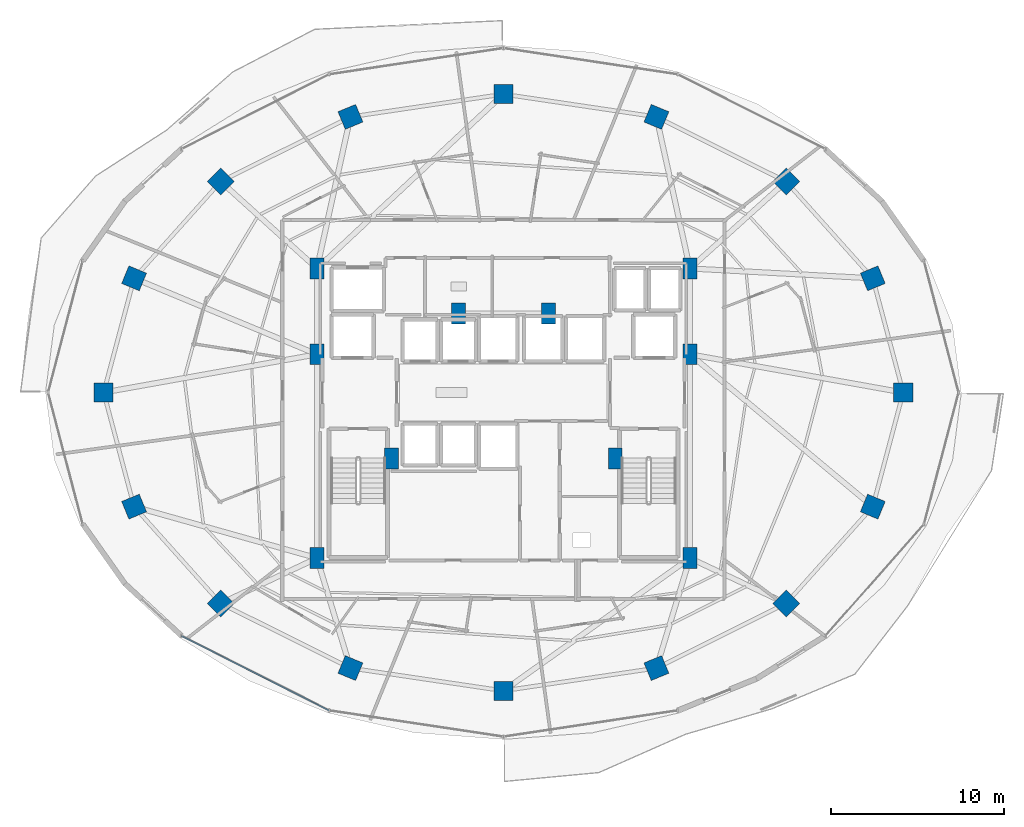
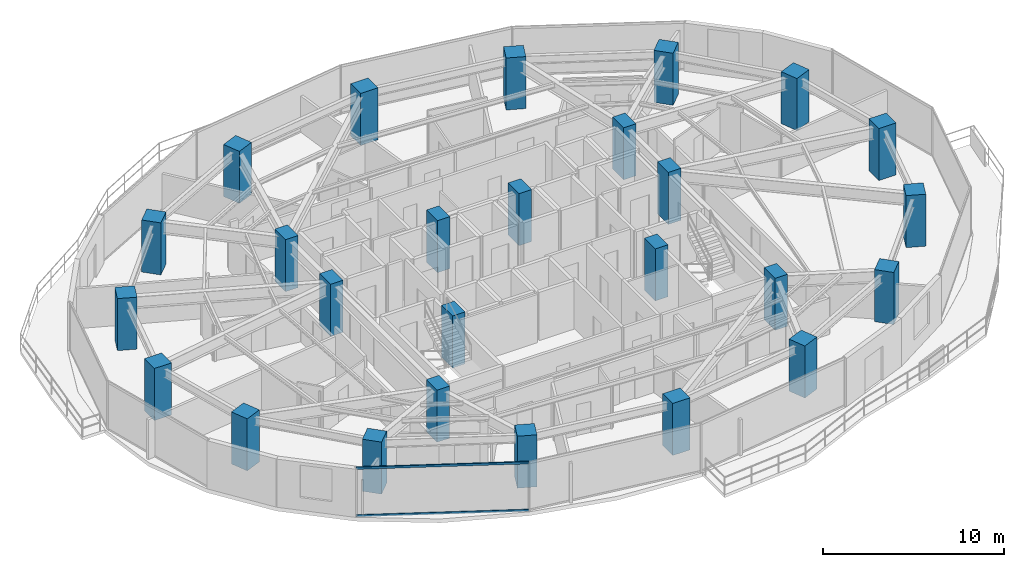
# One storey, part 1 of 30: 26 columns, 2 members, 1 element without a shape of its own.
"""IFC4 building model written with IfcOpenShell, lengths in metres."""

import ifcopenshell
import ifcopenshell.guid

model = None  # the IFC model being written
_history = None  # IfcOwnerHistory: only IFC2X3 demands one
_inside = {}  # id of a spatial element -> (the spatial element, [elements in it])
_under = {}  # id of a project, library or spatial element -> (it, [spatial elements below it])
_declared = {}  # id of a project -> (the project, [libraries it declares])
_typed = {}  # id of a type object -> (the type object, [elements of that type])
_made_of = {}  # id of a material, layer set ... -> (it, [elements and type objects made of it])


def new_model(schema):
    """Start an empty IFC model of exactly this schema.

    Asked for "IFC4X3", IfcOpenShell would pick the latest addendum, in which some entities
    have other attributes; the version numbers below select the first issue.
    IFC2X3 requires an IfcOwnerHistory on every rooted entity: one is made here for all.
    """
    global model, _history
    if schema == "IFC4X3":
        model = ifcopenshell.file(schema_version=(4, 3, 0, 0))
    else:
        model = ifcopenshell.file(schema=schema)
    _inside.clear()
    _under.clear()
    _declared.clear()
    _typed.clear()
    _made_of.clear()
    _history = None
    if model.schema == "IFC2X3":
        org = make("IfcOrganization", Name="unknown")
        user = make(
            "IfcPersonAndOrganization",
            ThePerson=make("IfcPerson", FamilyName="unknown"),
            TheOrganization=org,
        )
        app = make(
            "IfcApplication",
            ApplicationDeveloper=org,
            Version="unknown",
            ApplicationFullName="unknown",
            ApplicationIdentifier="unknown",
        )
        _history = make(
            "IfcOwnerHistory",
            OwningUser=user,
            OwningApplication=app,
            ChangeAction="ADDED",
            CreationDate=0,
        )
    return model


def make(cls, **values):
    """One entity of the class cls with the attributes given. An attribute that is None is left unset."""
    return model.create_entity(
        cls, **{name: value for name, value in values.items() if value is not None}
    )


def rooted(cls, **values):
    """An entity with a GlobalId (a new one), such as an element, a storey or a relation."""
    return make(cls, GlobalId=ifcopenshell.guid.new(), OwnerHistory=_history, **values)


def si_unit(unit_type, name, prefix=None):
    """IfcSIUnit, for example si_unit("LENGTHUNIT", "METRE", prefix="MILLI")."""
    return make("IfcSIUnit", UnitType=unit_type, Prefix=prefix, Name=name)


def assignment(units):
    """IfcUnitAssignment: the units of a project."""
    return None if units is None else make("IfcUnitAssignment", Units=units)


def point(xyz):
    """IfcCartesianPoint."""
    return None if xyz is None else make("IfcCartesianPoint", Coordinates=xyz)


def direction(xyz):
    """IfcDirection."""
    return None if xyz is None else make("IfcDirection", DirectionRatios=xyz)


def frame(location, z_axis=None, x_axis=None):
    """IfcAxis2Placement3D, a coordinate frame: its origin and axes. An axis left out is left unset."""
    return make(
        "IfcAxis2Placement3D",
        Location=point(location),
        Axis=direction(z_axis),
        RefDirection=direction(x_axis),
    )


def frame_2d(location, x_axis=None):
    """IfcAxis2Placement2D, a coordinate frame in the plane: its origin and x axis."""
    return make(
        "IfcAxis2Placement2D", Location=point(location), RefDirection=direction(x_axis)
    )


def origin():
    """The frame at (0, 0, 0) with its axes left unset."""
    return frame((0.0, 0.0, 0.0))


def origin_2d():
    """The frame at (0, 0) in the plane with its x axis left unset."""
    return frame_2d((0.0, 0.0))


def place(relative_to, where):
    """IfcLocalPlacement: puts the frame where relative to a parent placement (None: the world)."""
    return make(
        "IfcLocalPlacement", PlacementRelTo=relative_to, RelativePlacement=where
    )


def context(
    kind, dimensions, precision=None, world=None, true_north=None, identifier=None
):
    """IfcGeometricRepresentationContext, for example the 3D "Model" context."""
    return make(
        "IfcGeometricRepresentationContext",
        ContextIdentifier=identifier,
        ContextType=kind,
        CoordinateSpaceDimension=dimensions,
        Precision=precision,
        WorldCoordinateSystem=world,
        TrueNorth=true_north,
    )


def subcontext(parent, identifier, kind, view, scale=None):
    """IfcGeometricRepresentationSubContext, for example "Body" below "Model"."""
    return make(
        "IfcGeometricRepresentationSubContext",
        ContextIdentifier=identifier,
        ContextType=kind,
        ParentContext=parent,
        TargetScale=scale,
        TargetView=view,
    )


def project(units=None, contexts=None):
    """IfcProject with its units and contexts."""
    return rooted(
        "IfcProject",
        Name="project",
        RepresentationContexts=contexts,
        UnitsInContext=assignment(units),
    )


def spatial(cls, under=None, at=None, **own):
    """A site, building, storey or space (cls), placed at a placement, below another one or the project."""
    s = rooted(cls, ObjectPlacement=at, **own)
    if under is not None:
        _under.setdefault(under.id(), (under, []))[1].append(s)
    return s


def profile(cls, at=None, kind="AREA", **sizes):
    """A parametric profile (cls). Its sizes go by their IFC names, for example OverallWidth=200.0."""
    return make(cls, ProfileType=kind, Position=at, **sizes)


def rectangle(**sizes):
    """IfcRectangleProfileDef."""
    return profile("IfcRectangleProfileDef", **sizes)


def hollow_rectangle(**sizes):
    """IfcRectangleHollowProfileDef."""
    return profile("IfcRectangleHollowProfileDef", **sizes)


def extrude(swept, where, along, depth):
    """IfcExtrudedAreaSolid: the profile swept, set in the frame where, extruded along a direction by depth."""
    return make(
        "IfcExtrudedAreaSolid",
        SweptArea=swept,
        Position=where,
        ExtrudedDirection=direction(along),
        Depth=depth,
    )


def shape(context_of_items, identifier, shape_type, items):
    """IfcShapeRepresentation: the items that make up one representation, for example the "Body"."""
    return make(
        "IfcShapeRepresentation",
        ContextOfItems=context_of_items,
        RepresentationIdentifier=identifier,
        RepresentationType=shape_type,
        Items=items,
    )


def material(Name=None, Category=None):
    """IfcMaterial."""
    return make("IfcMaterial", Name=Name, Category=Category)


def material_profile(
    of_material, cross_section, Name=None, Category=None, Priority=None
):
    """IfcMaterialProfile: a cross section and its material."""
    return make(
        "IfcMaterialProfile",
        Name=Name,
        Material=of_material,
        Profile=cross_section,
        Priority=Priority,
        Category=Category,
    )


def profile_set(profiles, Name=None, composite=None):
    """IfcMaterialProfileSet."""
    return make(
        "IfcMaterialProfileSet",
        Name=Name,
        MaterialProfiles=profiles,
        CompositeProfile=composite,
    )


def made_of(thing, what):
    """Note that an element or type object is made of a material, layer set ...; save() writes the relation."""
    if what is not None:
        _made_of.setdefault(what.id(), (what, []))[1].append(thing)
    return thing


def type_object(cls, material=None, **own):
    """A type object (cls), such as IfcWallType, which elements share."""
    return made_of(rooted(cls, **own), material)


def element(
    cls,
    number,
    at=None,
    inside=None,
    cuts=None,
    type_object=None,
    material=None,
    context=None,
    identifier="Body",
    shape_type=None,
    held_by="IfcProductDefinitionShape",
    body=None,
    shapes=None,
    **own,
):
    """One element of the class cls, such as IfcWall. Its Tag is "e" and its number.

    at: its placement. inside: the storey or other place that contains it. cuts: it is an
    opening in that element (IfcRelVoidsElement). A single representation is given by context,
    identifier, shape_type and body (its items); several are given by shapes. held_by: the class
    of the entity that holds the representations. save() writes the other relations.
    """
    e = rooted(cls, Tag="e%d" % number, ObjectPlacement=at, **own)
    if body is not None:
        shapes = [shape(context, identifier, shape_type, body)]
    if shapes is not None:
        e.Representation = make(held_by, Representations=shapes)
    if inside is not None:
        _inside.setdefault(inside.id(), (inside, []))[1].append(e)
    if cuts is not None:
        rooted(
            "IfcRelVoidsElement", RelatingBuildingElement=cuts, RelatedOpeningElement=e
        )
    if type_object is not None:
        _typed.setdefault(type_object.id(), (type_object, []))[1].append(e)
    return made_of(e, material)


def aggregate(whole, parts):
    """IfcRelAggregates: a whole, such as a stair, and the parts it consists of."""
    return rooted("IfcRelAggregates", RelatingObject=whole, RelatedObjects=parts)


def save(model, path):
    """Write the relations noted so far, then the file.

    IfcRelAggregates (storeys below a building ...), IfcRelContainedInSpatialStructure (elements
    in a storey), IfcRelDefinesByType, IfcRelAssociatesMaterial and IfcRelDeclares: one each for
    every whole, place, type object, material and project.
    """
    for whole, parts in _under.values():
        aggregate(whole, parts)
    for where, things in _inside.values():
        rooted(
            "IfcRelContainedInSpatialStructure",
            RelatedElements=things,
            RelatingStructure=where,
        )
    for kind, things in _typed.values():
        rooted("IfcRelDefinesByType", RelatedObjects=things, RelatingType=kind)
    for what, things in _made_of.values():
        rooted("IfcRelAssociatesMaterial", RelatedObjects=things, RelatingMaterial=what)
    for by, libraries in _declared.values():
        rooted("IfcRelDeclares", RelatingContext=by, RelatedDefinitions=libraries)
    model.write(path)


model = new_model("IFC4")

# Units and contexts
model_context = context("Model", 3, precision=1e-05, world=origin(), true_north=direction((0.0, 1.0)))
body_context = subcontext(model_context, "Body", "Model", "MODEL_VIEW")
ifc_project = project(units=[si_unit("LENGTHUNIT", "METRE"), si_unit("AREAUNIT", "SQUARE_METRE"), si_unit("VOLUMEUNIT", "CUBIC_METRE"), si_unit("PLANEANGLEUNIT", "RADIAN"), si_unit("MASSUNIT", "GRAM", prefix="KILO")], contexts=[model_context])

# Site, building, storey
site_placement = place(None, origin())
site = spatial("IfcSite", under=ifc_project, at=site_placement, CompositionType="ELEMENT")
building_placement = place(site_placement, origin())
building = spatial("IfcBuilding", under=site, at=building_placement, Name="Vorneva Point Tower", CompositionType="ELEMENT")
storey_placement = place(building_placement, frame((0.0, 0.0, 96.300048828125)))
storey = spatial("IfcBuildingStorey", under=building, at=storey_placement, Name="L25", CompositionType="ELEMENT", Elevation=96.300048828125)

# Columns
ifc_material_1 = material(Name="Concrete B60 (C50/60)", Category="concrete")
ifc_material_profile_1 = material_profile(ifc_material_1, rectangle(XDim=1.10009765625, YDim=1.10009765625, at=origin_2d()), Name="RC-COL 1100x1100")
ifc_profile_set_1 = profile_set([ifc_material_profile_1], Name="Concrete B60 (C50/60)")
column_type_1 = type_object("IfcColumnType", Name="COL-RC1100", PredefinedType="COLUMN", material=ifc_profile_set_1)
for number, where, z_axis, x_axis, name in (
    (1, (61.050048828125, 26.0, 0.0), (0.0, 0.0, 1.0), (1.0, 0.0, 0.0), "L25 Perimeter Column P01"),
    (2, (59.29541015625, 32.582275390625, 0.0), (0.0, 0.0, 1.0), (0.923879532511, 0.382683432365, 0.0), "L25 Perimeter Column P02"),
    (3, (54.298828125, 38.162109375, 0.0), (0.0, 0.0, 1.0), (0.707106781187, 0.707106781187, 0.0), "L25 Perimeter Column P03"),
    (4, (46.82080078125, 41.890625, 0.0), (0.0, 0.0, 1.0), (0.382683432365, 0.923879532511, 0.0), "L25 Perimeter Column P04"),
    (5, (38.0, 43.199951171875, 0.0), (0.0, 0.0, 1.0), (0.0, 1.0, 0.0), "L25 Perimeter Column P05"),
    (6, (29.17919921875, 41.890625, 0.0), (0.0, 0.0, 1.0), (-0.382683432365, 0.923879532511, 0.0), "L25 Perimeter Column P06"),
    (7, (21.701171875, 38.162109375, 0.0), (0.0, 0.0, 1.0), (-0.707106781187, 0.707106781187, 0.0), "L25 Perimeter Column P07"),
    (8, (16.70458984375, 32.582275390625, 0.0), (0.0, 0.0, 1.0), (-0.923879532511, 0.382683432365, 0.0), "L25 Perimeter Column P08"),
    (9, (14.949951171875, 26.0, 0.0), (0.0, 0.0, 1.0), (-1.0, 0.0, 0.0), "L25 Perimeter Column P09"),
    (10, (16.70458984375, 19.417724609375, 0.0), (0.0, 0.0, 1.0), (-0.923879532511, -0.382683432365, 0.0), "L25 Perimeter Column P10"),
    (11, (21.701171875, 13.837890625, 0.0), (0.0, 0.0, 1.0), (-0.707106781187, -0.707106781187, 0.0), "L25 Perimeter Column P11"),
    (12, (29.17919921875, 10.109375, 0.0), (0.0, 0.0, 1.0), (-0.382683432365, -0.923879532511, 0.0), "L25 Perimeter Column P12"),
    (13, (38.0, 8.800048828125, 0.0), (0.0, 0.0, 1.0), (0.0, -1.0, 0.0), "L25 Perimeter Column P13"),
    (14, (46.82080078125, 10.109375, 0.0), (0.0, 0.0, 1.0), (0.382683432365, -0.923879532511, 0.0), "L25 Perimeter Column P14"),
    (15, (54.298828125, 13.837890625, 0.0), (0.0, 0.0, 1.0), (0.707106781187, -0.707106781187, 0.0), "L25 Perimeter Column P15"),
    (16, (59.29541015625, 19.417724609375, 0.0), (0.0, 0.0, 1.0), (0.923879532511, -0.382683432365, 0.0), "L25 Perimeter Column P16"),
):
    element("IfcColumn", number, at=place(storey_placement, frame(where, z_axis=z_axis, x_axis=x_axis)), inside=storey, type_object=column_type_1, Name=name, PredefinedType="COLUMN", context=body_context, shape_type="SweptSolid", body=[
        extrude(rectangle(XDim=1.10009765625, YDim=1.10009765625, at=origin_2d()), origin(), (0.0, 0.0, 1.0), 3.5),
    ])
ifc_material_profile_2 = material_profile(ifc_material_1, rectangle(XDim=0.800048828125, YDim=1.199951171875, at=origin_2d()), Name="RC-PIL 1200x800")
ifc_profile_set_2 = profile_set([ifc_material_profile_2], Name="Concrete B60 (C50/60)")
column_type_2 = type_object("IfcColumnType", Name="PIL-RC1200x800", PredefinedType="PILASTER", material=ifc_profile_set_2)
for number, where, z_axis, x_axis, name in (
    (17, (27.25, 16.449951171875, 0.0), (0.0, 0.0, 1.0), (1.0, 0.0, 0.0), "L25 Core Pilaster CP1"),
    (18, (27.25, 28.199951171875, 0.0), (0.0, 0.0, 1.0), (1.0, 0.0, 0.0), "L25 Core Pilaster CP2"),
    (19, (27.25, 33.14990234375, 0.0), (0.0, 0.0, 1.0), (1.0, 0.0, 0.0), "L25 Core Pilaster CP3"),
    (20, (31.550048828125, 22.199951171875, 0.0), (0.0, 0.0, 1.0), (1.0, 0.0, 0.0), "L25 Core Pilaster CP4"),
    (21, (48.75, 33.14990234375, 0.0), (0.0, 0.0, 1.0), (1.0, 0.0, 0.0), "L25 Core Pilaster CP5"),
    (22, (48.75, 28.199951171875, 0.0), (0.0, 0.0, 1.0), (1.0, 0.0, 0.0), "L25 Core Pilaster CP6"),
    (23, (48.75, 16.449951171875, 0.0), (0.0, 0.0, 1.0), (1.0, 0.0, 0.0), "L25 Core Pilaster CP7"),
    (24, (44.449951171875, 22.199951171875, 0.0), (0.0, 0.0, 1.0), (1.0, 0.0, 0.0), "L25 Core Pilaster CP8"),
    (25, (35.39990234375, 30.550048828125, 0.0), (0.0, 0.0, 1.0), (1.0, 0.0, 0.0), "L25 Core Pilaster CP9"),
    (26, (40.60009765625, 30.550048828125, 0.0), (0.0, 0.0, 1.0), (1.0, 0.0, 0.0), "L25 Core Pilaster CP10"),
):
    element("IfcColumn", number, at=place(storey_placement, frame(where, z_axis=z_axis, x_axis=x_axis)), inside=storey, type_object=column_type_2, Name=name, PredefinedType="PILASTER", context=body_context, shape_type="SweptSolid", body=[
        extrude(rectangle(XDim=0.800048828125, YDim=1.199951171875, at=origin_2d()), origin(), (0.0, 0.0, 1.0), 3.5),
    ])

# Curtain wall, members
ifc_material_2 = material(Name="Pale anodised aluminium", Category="aluminium")
curtain_wall_type = type_object("IfcCurtainWallType", Name="CW-HTL-SYS", PredefinedType="NOTDEFINED", material=ifc_material_2)
curtain_wall_placement = place(storey_placement, origin())
curtain_wall = element("IfcCurtainWall", 27, at=curtain_wall_placement, inside=storey, type_object=curtain_wall_type, Name="L25 Unitised Curtain Wall CW-L25-R04", PredefinedType="NOTDEFINED")
ifc_material_profile_3 = material_profile(ifc_material_2, hollow_rectangle(XDim=0.074951171875, YDim=0.14990234375, WallThickness=0.00390625, at=origin_2d()), Name="AL-TRN 150x75x4")
ifc_profile_set_3 = profile_set([ifc_material_profile_3], Name="Pale anodised aluminium")
member_type = type_object("IfcMemberType", Name="CW-TRN-150", PredefinedType="USERDEFINED", material=ifc_profile_set_3)
member_1_placement = place(storey_placement, frame((19.4384765625, 11.9638671875, 0.02001953125), z_axis=(0.892536035732, -0.450976080207, 0.0), x_axis=(0.450976080207, 0.892536035732, 0.0)))
member_1 = element("IfcMember", 28, at=member_1_placement, type_object=member_type, Name="CW-L25-R04 Transom 01.1", ObjectType="TRANSOM", PredefinedType="USERDEFINED", context=body_context, shape_type="SweptSolid", body=[
    extrude(hollow_rectangle(XDim=0.074951171875, YDim=0.14990234375, WallThickness=0.00390625, at=origin_2d()), origin(), (0.0, 0.0, 1.0), 9.54150390625),
])
member_2_placement = place(storey_placement, frame((19.4384765625, 11.9638671875, 3.219970703125), z_axis=(0.892536035732, -0.450976080207, 0.0), x_axis=(0.450976080207, 0.892536035732, 0.0)))
member_2 = element("IfcMember", 29, at=member_2_placement, type_object=member_type, Name="CW-L25-R04 Transom 01.2", ObjectType="TRANSOM", PredefinedType="USERDEFINED", context=body_context, shape_type="SweptSolid", body=[
    extrude(hollow_rectangle(XDim=0.074951171875, YDim=0.14990234375, WallThickness=0.00390625, at=origin_2d()), origin(), (0.0, 0.0, 1.0), 9.54150390625),
])
aggregate(curtain_wall, [member_1, member_2])

save(model, "model.ifc")
